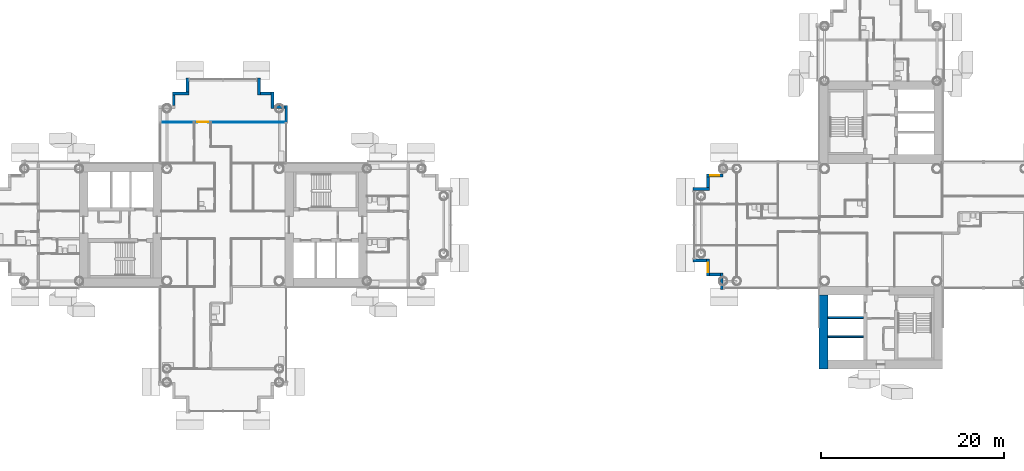
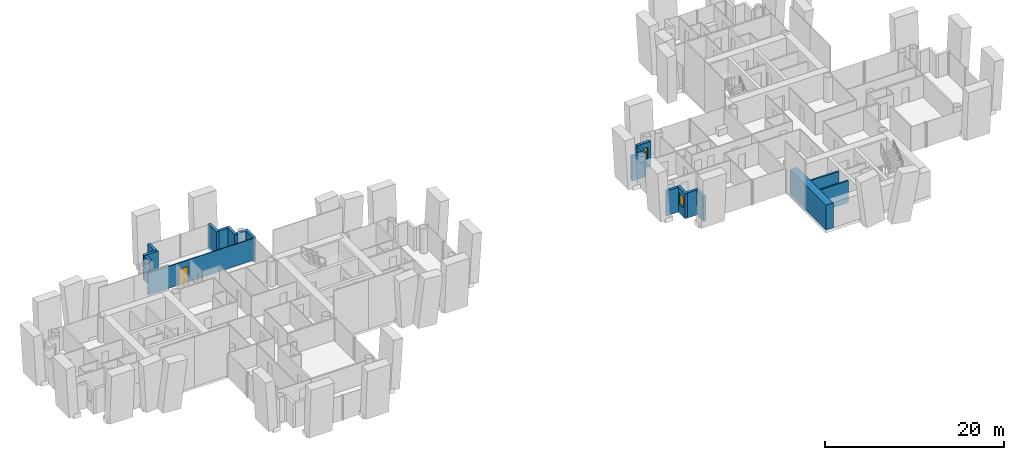
# One storey, part 11 of 21: 19 walls, 2 windows, 1 door, 3 openings.
"""IFC4 building model written with IfcOpenShell, lengths in metres."""

from ifc_helpers import new_model, si_unit, direction, frame, frame_2d, origin, place, context, subcontext, project, spatial, rectangle, extrude, material, layer, layer_set, type_object, element, fill, save


model = new_model("IFC4")

# Units and contexts
model_context = context("Model", 3, precision=1e-05, world=origin(), true_north=direction((0.0, 1.0)))
body_context = subcontext(model_context, "Body", "Model", "MODEL_VIEW")
ifc_project = project(units=[si_unit("LENGTHUNIT", "METRE"), si_unit("AREAUNIT", "SQUARE_METRE"), si_unit("VOLUMEUNIT", "CUBIC_METRE"), si_unit("PLANEANGLEUNIT", "RADIAN"), si_unit("MASSUNIT", "GRAM", prefix="KILO")], contexts=[model_context])

# Site, building, storey
site_placement = place(None, origin())
site = spatial("IfcSite", under=ifc_project, at=site_placement, CompositionType="ELEMENT")
building_placement = place(site_placement, origin())
building = spatial("IfcBuilding", under=site, at=building_placement, Name="Ipe Terrace Towers", CompositionType="ELEMENT")
storey_placement = place(building_placement, frame((0.0, 0.0, 107.199951171875)))
storey = spatial("IfcBuildingStorey", under=building, at=storey_placement, Name="L29", CompositionType="ELEMENT", Elevation=107.199951171875)

# Walls
ifc_material_1 = material(Name="Concrete C40/50 with buff precast cladding", Category="concrete")
ifc_layer_1 = layer(ifc_material_1, 0.320068359375)
ifc_layer_set_1 = layer_set([ifc_layer_1], Name="BUFF CLADDING WALL 320")
wall_type_1 = type_object("IfcWallType", Name="BUFF CLADDING WALL 320", PredefinedType="STANDARD", material=ifc_layer_set_1)
wall_1_placement = place(storey_placement, frame((-29.090087890625, 11.25, -0.300048828125), z_axis=(0.0, 0.0, 1.0), x_axis=(0.0, 1.0, 0.0)))
element("IfcWall", 1, at=wall_1_placement, inside=storey, type_object=wall_type_1, Name="T1-W-L29-33a wall", PredefinedType="STANDARD", context=body_context, shape_type="SweptSolid", body=[
    extrude(rectangle(XDim=1.820068359375, YDim=0.320068359375, at=frame_2d((0.91015625, 0.0))), origin(), (0.0, 0.0, 1.0), 3.400146484375),
])
wall_2_placement = place(storey_placement, frame((-29.25, 12.909912109375, -0.300048828125), z_axis=(0.0, 0.0, 1.0), x_axis=(-1.0, 0.0, 0.0)))
element("IfcWall", 2, at=wall_2_placement, inside=storey, type_object=wall_type_1, Name="T1-W-L29-34a wall", PredefinedType="STANDARD", context=body_context, shape_type="SweptSolid", body=[
    extrude(rectangle(XDim=1.179931640625, YDim=0.320068359375, at=frame_2d((0.58984375, 0.0))), origin(), (0.0, 0.0, 1.0), 3.400146484375),
])
wall_3_placement = place(storey_placement, frame((-30.590087890625, 12.75, -0.300048828125), z_axis=(0.0, 0.0, 1.0), x_axis=(0.0, 1.0, 0.0)))
element("IfcWall", 3, at=wall_3_placement, inside=storey, type_object=wall_type_1, Name="T1-W-L29-35a wall", PredefinedType="STANDARD", context=body_context, shape_type="SweptSolid", body=[
    extrude(rectangle(XDim=1.820068359375, YDim=0.320068359375, at=frame_2d((0.91015625, 0.0))), origin(), (0.0, 0.0, 1.0), 3.400146484375),
])
wall_4_placement = place(storey_placement, frame((-30.75, 14.409912109375, -0.300048828125), z_axis=(0.0, 0.0, 1.0), x_axis=(-1.0, 0.0, 0.0)))
element("IfcWall", 4, at=wall_4_placement, inside=storey, type_object=wall_type_1, Name="T1-W-L29-36a wall", PredefinedType="STANDARD", context=body_context, shape_type="SweptSolid", body=[
    extrude(rectangle(XDim=1.179931640625, YDim=0.320068359375, at=frame_2d((0.58984375, 0.0))), origin(), (0.0, 0.0, 1.0), 3.400146484375),
])
wall_5_placement = place(storey_placement, frame((-32.090087890625, 14.25, -0.300048828125), z_axis=(0.0, 0.0, 1.0), x_axis=(0.0, 1.0, 0.0)))
element("IfcWall", 5, at=wall_5_placement, inside=storey, type_object=wall_type_1, Name="T1-W-L29-37a wall", PredefinedType="STANDARD", context=body_context, shape_type="SweptSolid", body=[
    extrude(rectangle(XDim=1.820068359375, YDim=0.320068359375, at=frame_2d((0.91015625, 0.0))), origin(), (0.0, 0.0, 1.0), 3.400146484375),
])
wall_6_placement = place(storey_placement, frame((-39.909912109375, 16.070068359375, -0.300048828125), z_axis=(0.0, 0.0, 1.0), x_axis=(0.0, -1.0, 0.0)))
element("IfcWall", 6, at=wall_6_placement, inside=storey, type_object=wall_type_1, Name="T1-W-L29-39a wall", PredefinedType="STANDARD", context=body_context, shape_type="SweptSolid", body=[
    extrude(rectangle(XDim=1.5, YDim=0.320068359375, at=frame_2d((0.75, 0.0))), origin(), (0.0, 0.0, 1.0), 3.400146484375),
])
wall_7_placement = place(storey_placement, frame((-39.75, 14.409912109375, -0.300048828125), z_axis=(0.0, 0.0, 1.0), x_axis=(-1.0, 0.0, 0.0)))
element("IfcWall", 7, at=wall_7_placement, inside=storey, type_object=wall_type_1, Name="T1-W-L29-40a wall", PredefinedType="STANDARD", context=body_context, shape_type="SweptSolid", body=[
    extrude(rectangle(XDim=1.820068359375, YDim=0.320068359375, at=frame_2d((0.91015625, 0.0))), origin(), (0.0, 0.0, 1.0), 3.400146484375),
])
wall_8_placement = place(storey_placement, frame((-41.409912109375, 14.25, -0.300048828125), z_axis=(0.0, 0.0, 1.0), x_axis=(0.0, -1.0, 0.0)))
element("IfcWall", 8, at=wall_8_placement, inside=storey, type_object=wall_type_1, Name="T1-W-L29-41a wall", PredefinedType="STANDARD", context=body_context, shape_type="SweptSolid", body=[
    extrude(rectangle(XDim=1.179931640625, YDim=0.320068359375, at=frame_2d((0.58984375, 0.0))), origin(), (0.0, 0.0, 1.0), 3.400146484375),
])

# Wall, opening, window
wall_9_placement = place(storey_placement, frame((18.75, 5.409912109375, -0.300048828125), z_axis=(0.0, 0.0, 1.0), x_axis=(-1.0, 0.0, 0.0)))
wall_9 = element("IfcWall", 9, at=wall_9_placement, inside=storey, type_object=wall_type_1, Name="T2-W-L29-31a wall", PredefinedType="STANDARD", context=body_context, shape_type="SweptSolid", body=[
    extrude(rectangle(XDim=1.820068359375, YDim=0.320068359375, at=frame_2d((0.91015625, 0.0))), origin(), (0.0, 0.0, 1.0), 3.400146484375),
])
opening_1_placement = place(wall_9_placement, frame((0.409912109375, 0.0, 1.199951171875)))
opening_1 = element("IfcOpeningElement", 10, at=opening_1_placement, cuts=wall_9, Name="Opening T2-W-05-L29-02", PredefinedType="OPENING", context=body_context, shape_type="SweptSolid", body=[
    extrude(rectangle(XDim=1.0, YDim=1.5, at=frame_2d((0.5, 0.75))), frame((0.0, 0.169921875, 0.0), z_axis=(0.0, -1.0, 0.0), x_axis=(1.0, 0.0, 0.0)), (0.0, 0.0, 1.0), 0.340087890625),
])
ifc_material_2 = material(Name="Glass, clear laminated", Category="glass")
window_type = type_object("IfcWindowType", Name="DWELLING WINDOW 1000 x 1500", PartitioningType="SINGLE_PANEL", PredefinedType="WINDOW", material=ifc_material_2)
window_1_placement = place(opening_1_placement, origin())
window_1 = element("IfcWindow", 11, at=window_1_placement, inside=storey, type_object=window_type, Name="W-05 window", OverallHeight=1.5, OverallWidth=1.0, PartitioningType="SINGLE_PANEL", PredefinedType="WINDOW", context=body_context, shape_type="SweptSolid", body=[
    extrude(rectangle(XDim=1.0, YDim=1.5, at=frame_2d((0.5, 0.75))), frame((0.0, 0.030029296875, 0.0), z_axis=(0.0, -1.0, 0.0), x_axis=(1.0, 0.0, 0.0)), (0.0, 0.0, 1.0), 0.06005859375),
])
fill(opening_1, window_1)

# Walls
wall_10_placement = place(storey_placement, frame((17.090087890625, 5.25, -0.300048828125), z_axis=(0.0, 0.0, 1.0), x_axis=(0.0, -1.0, 0.0)))
element("IfcWall", 12, at=wall_10_placement, inside=storey, type_object=wall_type_1, Name="T2-W-L29-32a wall", PredefinedType="STANDARD", context=body_context, shape_type="SweptSolid", body=[
    extrude(rectangle(XDim=1.179931640625, YDim=0.320068359375, at=frame_2d((0.58984375, 0.0))), origin(), (0.0, 0.0, 1.0), 3.400146484375),
])
wall_11_placement = place(storey_placement, frame((17.25, 3.909912109375, -0.300048828125), z_axis=(0.0, 0.0, 1.0), x_axis=(-1.0, 0.0, 0.0)))
element("IfcWall", 13, at=wall_11_placement, inside=storey, type_object=wall_type_1, Name="T2-W-L29-33a wall", PredefinedType="STANDARD", context=body_context, shape_type="SweptSolid", body=[
    extrude(rectangle(XDim=1.820068359375, YDim=0.320068359375, at=frame_2d((0.91015625, 0.0))), origin(), (0.0, 0.0, 1.0), 3.400146484375),
])
wall_12_placement = place(storey_placement, frame((15.429931640625, -3.909912109375, -0.300048828125), z_axis=(0.0, 0.0, 1.0), x_axis=(1.0, 0.0, 0.0)))
element("IfcWall", 14, at=wall_12_placement, inside=storey, type_object=wall_type_1, Name="T2-W-L29-35a wall", PredefinedType="STANDARD", context=body_context, shape_type="SweptSolid", body=[
    extrude(rectangle(XDim=1.5, YDim=0.320068359375, at=frame_2d((0.75, 0.0))), origin(), (0.0, 0.0, 1.0), 3.400146484375),
])

# Wall, opening, window
wall_13_placement = place(storey_placement, frame((17.090087890625, -3.75, -0.300048828125), z_axis=(0.0, 0.0, 1.0), x_axis=(0.0, -1.0, 0.0)))
wall_13 = element("IfcWall", 15, at=wall_13_placement, inside=storey, type_object=wall_type_1, Name="T2-W-L29-36a wall", PredefinedType="STANDARD", context=body_context, shape_type="SweptSolid", body=[
    extrude(rectangle(XDim=1.820068359375, YDim=0.320068359375, at=frame_2d((0.91015625, 0.0))), origin(), (0.0, 0.0, 1.0), 3.400146484375),
])
opening_2_placement = place(wall_13_placement, frame((0.409912109375, 0.0, 1.199951171875)))
opening_2 = element("IfcOpeningElement", 16, at=opening_2_placement, cuts=wall_13, Name="Opening T2-W-05-L29-01", PredefinedType="OPENING", context=body_context, shape_type="SweptSolid", body=[
    extrude(rectangle(XDim=1.0, YDim=1.5, at=frame_2d((0.5, 0.75))), frame((0.0, 0.169921875, 0.0), z_axis=(0.0, -1.0, 0.0), x_axis=(1.0, 0.0, 0.0)), (0.0, 0.0, 1.0), 0.340087890625),
])
window_2_placement = place(opening_2_placement, origin())
window_2 = element("IfcWindow", 17, at=window_2_placement, inside=storey, type_object=window_type, Name="W-05 window", OverallHeight=1.5, OverallWidth=1.0, PartitioningType="SINGLE_PANEL", PredefinedType="WINDOW", context=body_context, shape_type="SweptSolid", body=[
    extrude(rectangle(XDim=1.0, YDim=1.5, at=frame_2d((0.5, 0.75))), frame((0.0, 0.030029296875, 0.0), z_axis=(0.0, -1.0, 0.0), x_axis=(1.0, 0.0, 0.0)), (0.0, 0.0, 1.0), 0.06005859375),
])
fill(opening_2, window_2)

# Walls
wall_14_placement = place(storey_placement, frame((17.25, -5.409912109375, -0.300048828125), z_axis=(0.0, 0.0, 1.0), x_axis=(1.0, 0.0, 0.0)))
element("IfcWall", 18, at=wall_14_placement, inside=storey, type_object=wall_type_1, Name="T2-W-L29-37a wall", PredefinedType="STANDARD", context=body_context, shape_type="SweptSolid", body=[
    extrude(rectangle(XDim=1.179931640625, YDim=0.320068359375, at=frame_2d((0.58984375, 0.0))), origin(), (0.0, 0.0, 1.0), 3.400146484375),
])
wall_15_placement = place(storey_placement, frame((18.590087890625, -5.25, -0.300048828125), z_axis=(0.0, 0.0, 1.0), x_axis=(0.0, -1.0, 0.0)))
element("IfcWall", 19, at=wall_15_placement, inside=storey, type_object=wall_type_1, Name="T2-W-L29-38a wall", PredefinedType="STANDARD", context=body_context, shape_type="SweptSolid", body=[
    extrude(rectangle(XDim=1.820068359375, YDim=0.320068359375, at=frame_2d((0.91015625, 0.0))), origin(), (0.0, 0.0, 1.0), 3.400146484375),
])

# Wall, opening, door
ifc_material_3 = material(Name="Gypsum board partition", Category="plasterboard")
ifc_layer_2 = layer(ifc_material_3, 0.10009765625)
ifc_layer_set_2 = layer_set([ifc_layer_2], Name="Gypsum board partition 100 mm")
wall_type_2 = type_object("IfcWallType", Name="Gypsum board partition 100 mm", PredefinedType="PARTITIONING", material=ifc_layer_set_2)
wall_16_placement = place(storey_placement, frame((-42.85009765625, 11.25, 0.0), z_axis=(0.0, 0.0, 1.0), x_axis=(1.0, 0.0, 0.0)))
wall_16 = element("IfcWall", 20, at=wall_16_placement, inside=storey, type_object=wall_type_2, Name="Gypsum board partition T1 L29 W47", PredefinedType="PARTITIONING", context=body_context, shape_type="SweptSolid", body=[
    extrude(rectangle(XDim=13.7001953125, YDim=0.10009765625, at=frame_2d((6.85009765625, 0.0))), origin(), (0.0, 0.0, 1.0), 3.0),
])
opening_3_placement = place(wall_16_placement, frame((4.0, 0.0, 0.0)))
opening_3 = element("IfcOpeningElement", 21, at=opening_3_placement, cuts=wall_16, Name="Opening T1-Z2F-11", PredefinedType="OPENING", context=body_context, shape_type="SweptSolid", body=[
    extrude(rectangle(XDim=1.199951171875, YDim=2.10009765625, at=frame_2d((0.60009765625, 1.050048828125))), frame((0.0, 0.06005859375, 0.0), z_axis=(0.0, -1.0, 0.0), x_axis=(1.0, 0.0, 0.0)), (0.0, 0.0, 1.0), 0.1201171875),
])
ifc_material_4 = material(Name="Timber door leaf", Category="wood")
door_type = type_object("IfcDoorType", Name="Lounge door 1200 x 2100", OperationType="NOTDEFINED", PredefinedType="DOOR", material=ifc_material_4)
door_placement = place(opening_3_placement, origin())
door = element("IfcDoor", 22, at=door_placement, inside=storey, type_object=door_type, Name="Lounge door T1-Z2F-11", OperationType="SINGLE_SWING_RIGHT", OverallHeight=2.10009765625, OverallWidth=1.199951171875, PredefinedType="DOOR", context=body_context, shape_type="SweptSolid", body=[
    extrude(rectangle(XDim=1.199951171875, YDim=2.10009765625, at=frame_2d((0.60009765625, 1.050048828125))), frame((0.0, 0.02490234375, 0.0), z_axis=(0.0, -1.0, 0.0), x_axis=(1.0, 0.0, 0.0)), (0.0, 0.0, 1.0), 0.050048828125),
])
fill(opening_3, door)

# Walls
ifc_material_5 = material(Name="Gypsum board party wall", Category="plasterboard")
ifc_layer_3 = layer(ifc_material_5, 0.199951171875)
ifc_layer_set_3 = layer_set([ifc_layer_3], Name="Gypsum board party wall 200 mm")
wall_type_3 = type_object("IfcWallType", Name="Gypsum board party wall 200 mm", PredefinedType="SOLIDWALL", material=ifc_layer_set_3)
for number, where, z_axis, x_axis, name in (
    (23, (30.199951171875, -10.14990234375, 0.0), (0.0, 0.0, 1.0), (1.0, 0.0, 0.0), "Gypsum board party wall T2 L29 t2c2-shaft-div1"),
    (24, (30.199951171875, -12.25, 0.0), (0.0, 0.0, 1.0), (1.0, 0.0, 0.0), "Gypsum board party wall T2 L29 t2c2-shaft-div2"),
):
    element("IfcWall", number, at=place(storey_placement, frame(where, z_axis=z_axis, x_axis=x_axis)), inside=storey, type_object=wall_type_3, Name=name, PredefinedType="SOLIDWALL", context=body_context, shape_type="SweptSolid", body=[
        extrude(rectangle(XDim=3.900146484375, YDim=0.199951171875, at=frame_2d((1.9501953125, 0.0))), origin(), (0.0, 0.0, 1.0), 3.0),
    ])
ifc_material_6 = material(Name="Concrete C50/60", Category="concrete")
ifc_layer_4 = layer(ifc_material_6, 0.949951171875)
ifc_layer_set_4 = layer_set([ifc_layer_4], Name="RW950 CORE WALL 950 C50-60")
wall_type_4 = type_object("IfcWallType", Name="RW950 CORE WALL 950 C50-60", PredefinedType="SHEAR", material=ifc_layer_set_4)
wall_17_placement = place(storey_placement, frame((29.72509765625, -7.699951171875, 0.0), z_axis=(0.0, 0.0, 1.0), x_axis=(0.0, -1.0, 0.0)))
element("IfcWall", 25, at=wall_17_placement, inside=storey, type_object=wall_type_4, Name="Core wall T2-C2-Z2-W04", PredefinedType="SHEAR", context=body_context, shape_type="SweptSolid", body=[
    extrude(rectangle(XDim=8.050048828125, YDim=0.949951171875, at=frame_2d((4.02490234375, 0.0))), origin(), (0.0, 0.0, 1.0), 3.400146484375),
])

save(model, "model.ifc")
